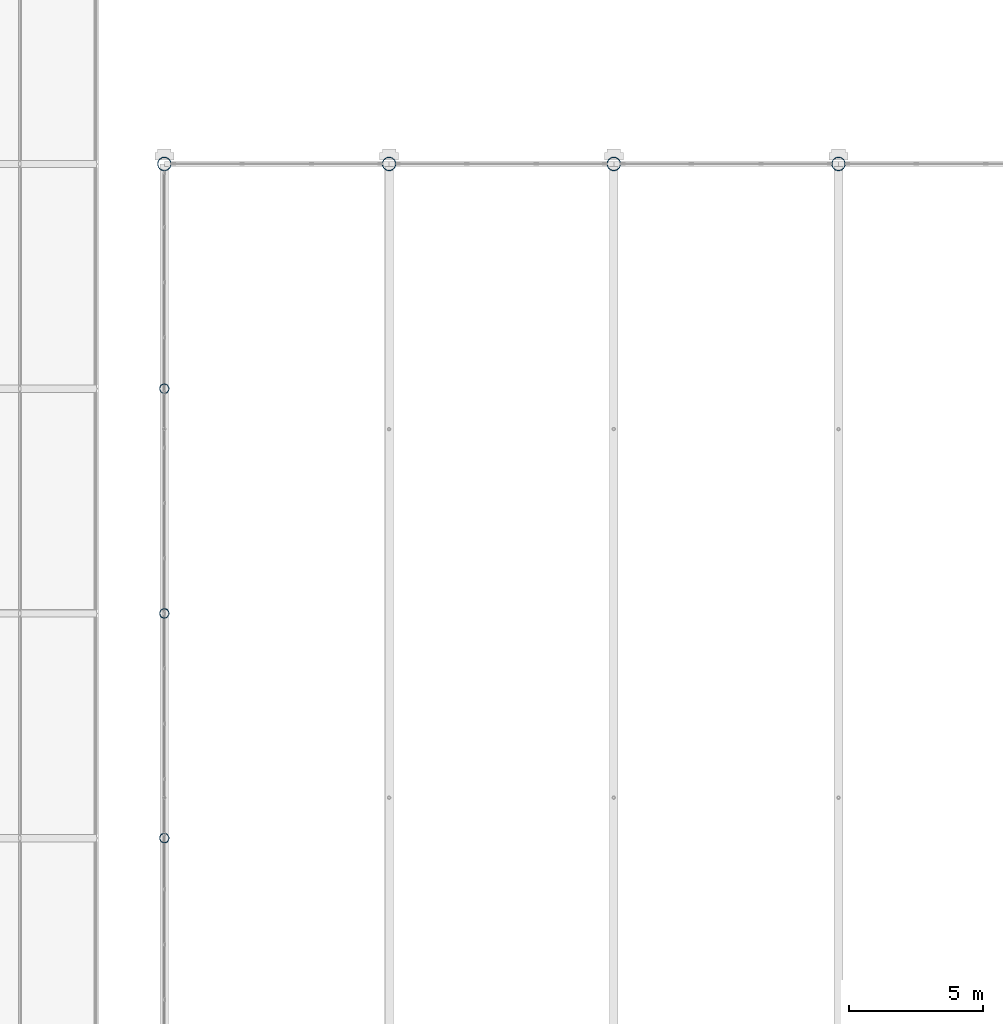
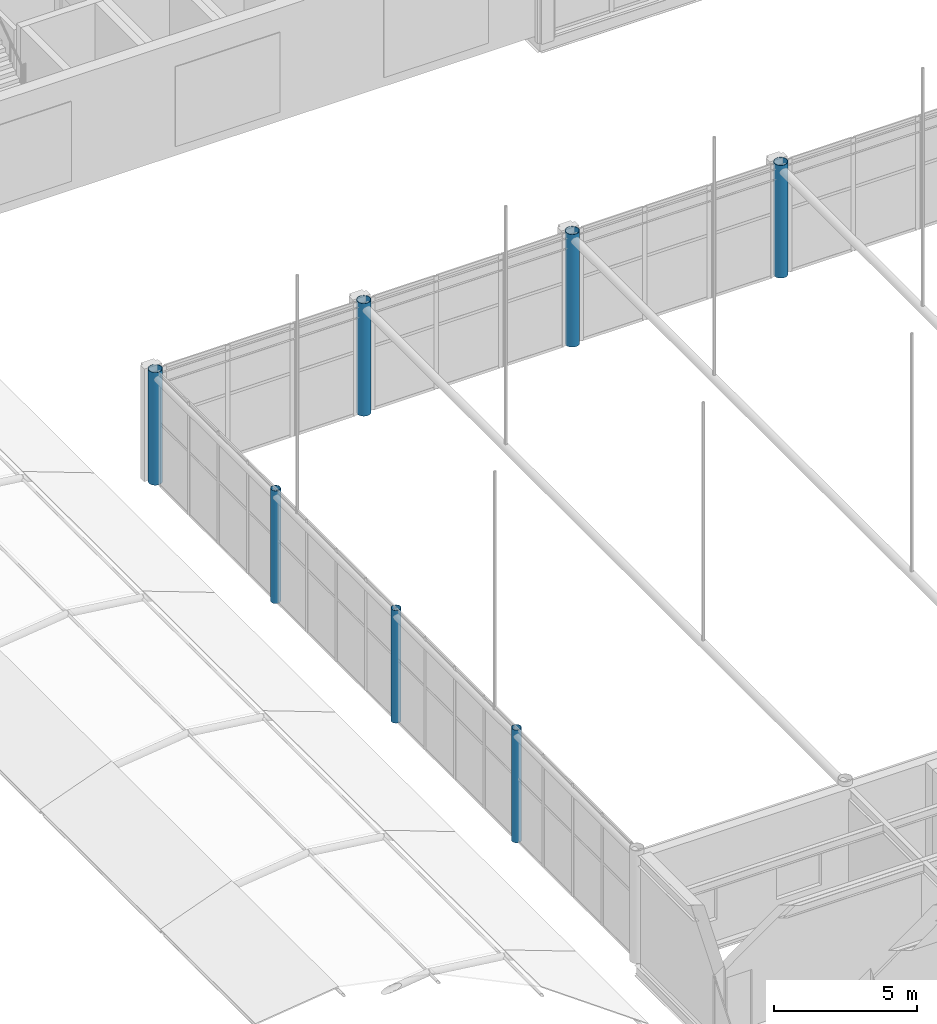
# One storey, part 6 of 167: 7 columns.
"""IFC4 building model written with IfcOpenShell, lengths in metres."""

from ifc_helpers import new_model, si_unit, direction, frame, origin, origin_2d, place, context, subcontext, project, spatial, hollow_circle, extrude, material, material_profile, profile_set, type_object, element, save


model = new_model("IFC4")

# Units and contexts
model_context = context("Model", 3, precision=1e-05, world=origin(), true_north=direction((0.0, 1.0)))
body_context = subcontext(model_context, "Body", "Model", "MODEL_VIEW")
ifc_project = project(units=[si_unit("LENGTHUNIT", "METRE"), si_unit("AREAUNIT", "SQUARE_METRE"), si_unit("VOLUMEUNIT", "CUBIC_METRE"), si_unit("PLANEANGLEUNIT", "RADIAN"), si_unit("MASSUNIT", "GRAM", prefix="KILO")], contexts=[model_context])

# Site, building, storey
site_placement = place(None, origin())
site = spatial("IfcSite", under=ifc_project, at=site_placement, CompositionType="ELEMENT")
building_placement = place(site_placement, origin())
building = spatial("IfcBuilding", under=site, at=building_placement, Name="Catenary Quay Ferry Terminal", CompositionType="ELEMENT")
storey_placement = place(building_placement, frame((0.0, 0.0, 6.0)))
storey = spatial("IfcBuildingStorey", under=building, at=storey_placement, Name="L01", CompositionType="ELEMENT", Elevation=6.0)

# Columns
ifc_material_1 = material(Name="Steel S355", Category="steel")
ifc_material_profile_1 = material_profile(ifc_material_1, hollow_circle(Radius=0.25390625, WallThickness=0.01611328125, at=origin_2d()), Name="CHS 508x16")
ifc_profile_set_1 = profile_set([ifc_material_profile_1], Name="Steel S355")
column_type_1 = type_object("IfcColumnType", Name="C4 CHS 508x16", PredefinedType="COLUMN", material=ifc_profile_set_1)
for number, where, z_axis, x_axis, name in (
    (1, (25.199951171875, 142.800048828125, 0.0), (0.0, 0.0, 1.0), (1.0, 0.0, 0.0), "Column C-D18 L01"),
    (2, (33.60009765625, 142.800048828125, 0.0), (0.0, 0.0, 1.0), (1.0, 0.0, 0.0), "Column C-E18 L01"),
    (3, (42.0, 142.800048828125, 0.0), (0.0, 0.0, 1.0), (1.0, 0.0, 0.0), "Column C-F18 L01"),
    (4, (50.39990234375, 142.800048828125, 0.0), (0.0, 0.0, 1.0), (1.0, 0.0, 0.0), "Column C-G18 L01"),
):
    element("IfcColumn", number, at=place(storey_placement, frame(where, z_axis=z_axis, x_axis=x_axis)), inside=storey, type_object=column_type_1, Name=name, PredefinedType="COLUMN", context=body_context, shape_type="SweptSolid", body=[
        extrude(hollow_circle(Radius=0.25390625, WallThickness=0.01611328125, at=origin_2d()), origin(), (0.0, 0.0, 1.0), 4.800048828125),
    ])
ifc_material_2 = material(Name="Steel S355", Category="steel")
ifc_material_profile_2 = material_profile(ifc_material_2, hollow_circle(Radius=0.177734375, WallThickness=0.012451171875, at=origin_2d()), Name="CHS 355.6x12.5")
ifc_profile_set_2 = profile_set([ifc_material_profile_2], Name="Steel S355")
column_type_2 = type_object("IfcColumnType", Name="C5 CHS 355.6x12.5", PredefinedType="COLUMN", material=ifc_profile_set_2)
for number, where, z_axis, x_axis, name in (
    (5, (25.199951171875, 117.60009765625, 0.0), (0.0, 0.0, 1.0), (1.0, 0.0, 0.0), "Column C-D15 L01"),
    (6, (25.199951171875, 126.0, 0.0), (0.0, 0.0, 1.0), (1.0, 0.0, 0.0), "Column C-D16 L01"),
    (7, (25.199951171875, 134.39990234375, 0.0), (0.0, 0.0, 1.0), (1.0, 0.0, 0.0), "Column C-D17 L01"),
):
    element("IfcColumn", number, at=place(storey_placement, frame(where, z_axis=z_axis, x_axis=x_axis)), inside=storey, type_object=column_type_2, Name=name, PredefinedType="COLUMN", context=body_context, shape_type="SweptSolid", body=[
        extrude(hollow_circle(Radius=0.177734375, WallThickness=0.012451171875, at=origin_2d()), origin(), (0.0, 0.0, 1.0), 4.800048828125),
    ])

save(model, "model.ifc")
